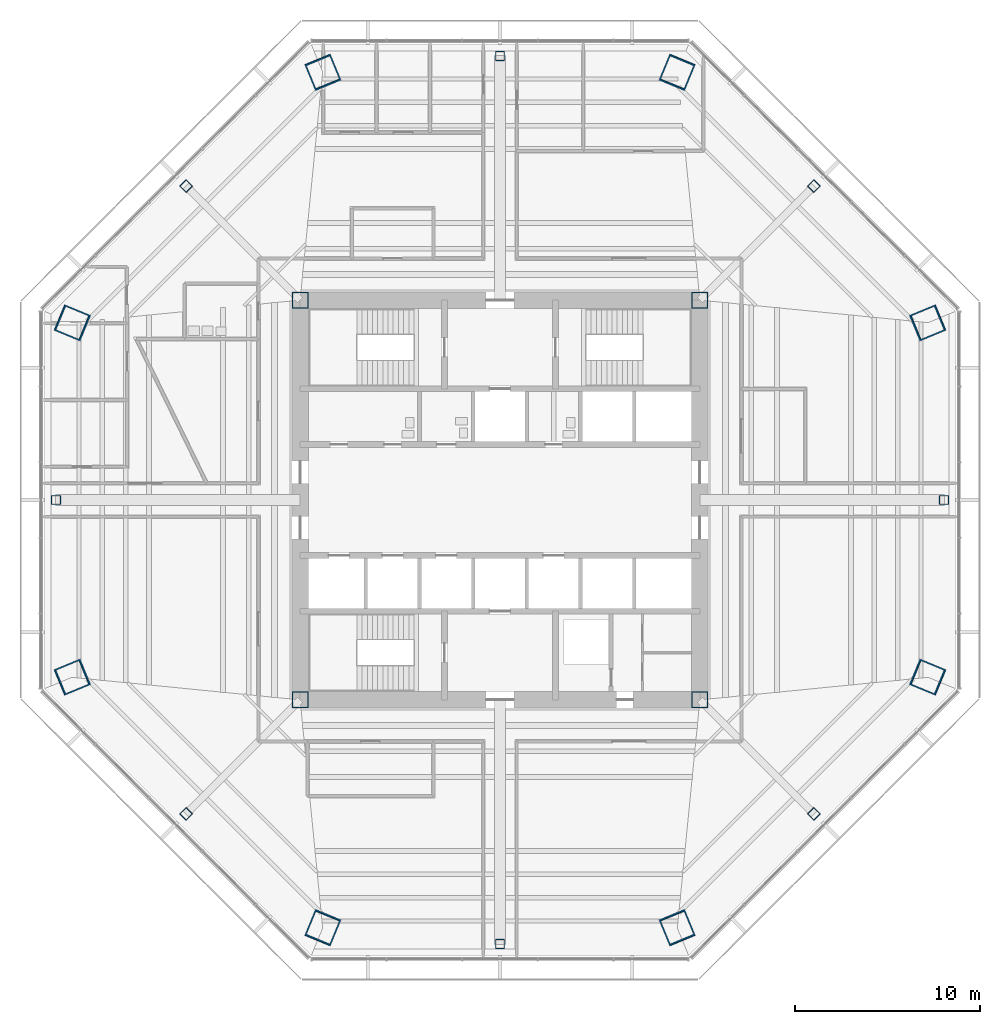
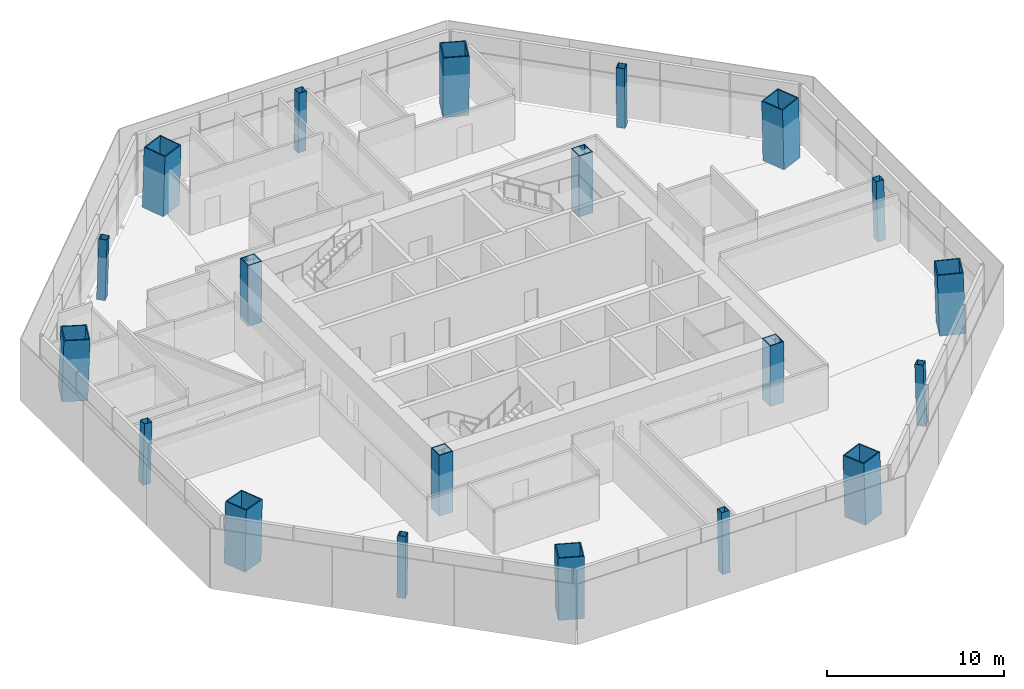
# One storey, part 1 of 14: 20 columns.
"""IFC4 building model written with IfcOpenShell, lengths in metres."""

import ifcopenshell
import ifcopenshell.guid

model = None  # the IFC model being written
_history = None  # IfcOwnerHistory: only IFC2X3 demands one
_inside = {}  # id of a spatial element -> (the spatial element, [elements in it])
_under = {}  # id of a project, library or spatial element -> (it, [spatial elements below it])
_declared = {}  # id of a project -> (the project, [libraries it declares])
_typed = {}  # id of a type object -> (the type object, [elements of that type])
_made_of = {}  # id of a material, layer set ... -> (it, [elements and type objects made of it])


def new_model(schema):
    """Start an empty IFC model of exactly this schema.

    Asked for "IFC4X3", IfcOpenShell would pick the latest addendum, in which some entities
    have other attributes; the version numbers below select the first issue.
    IFC2X3 requires an IfcOwnerHistory on every rooted entity: one is made here for all.
    """
    global model, _history
    if schema == "IFC4X3":
        model = ifcopenshell.file(schema_version=(4, 3, 0, 0))
    else:
        model = ifcopenshell.file(schema=schema)
    _inside.clear()
    _under.clear()
    _declared.clear()
    _typed.clear()
    _made_of.clear()
    _history = None
    if model.schema == "IFC2X3":
        org = make("IfcOrganization", Name="unknown")
        user = make(
            "IfcPersonAndOrganization",
            ThePerson=make("IfcPerson", FamilyName="unknown"),
            TheOrganization=org,
        )
        app = make(
            "IfcApplication",
            ApplicationDeveloper=org,
            Version="unknown",
            ApplicationFullName="unknown",
            ApplicationIdentifier="unknown",
        )
        _history = make(
            "IfcOwnerHistory",
            OwningUser=user,
            OwningApplication=app,
            ChangeAction="ADDED",
            CreationDate=0,
        )
    return model


def make(cls, **values):
    """One entity of the class cls with the attributes given. An attribute that is None is left unset."""
    return model.create_entity(
        cls, **{name: value for name, value in values.items() if value is not None}
    )


def rooted(cls, **values):
    """An entity with a GlobalId (a new one), such as an element, a storey or a relation."""
    return make(cls, GlobalId=ifcopenshell.guid.new(), OwnerHistory=_history, **values)


def si_unit(unit_type, name, prefix=None):
    """IfcSIUnit, for example si_unit("LENGTHUNIT", "METRE", prefix="MILLI")."""
    return make("IfcSIUnit", UnitType=unit_type, Prefix=prefix, Name=name)


def assignment(units):
    """IfcUnitAssignment: the units of a project."""
    return None if units is None else make("IfcUnitAssignment", Units=units)


def point(xyz):
    """IfcCartesianPoint."""
    return None if xyz is None else make("IfcCartesianPoint", Coordinates=xyz)


def direction(xyz):
    """IfcDirection."""
    return None if xyz is None else make("IfcDirection", DirectionRatios=xyz)


def frame(location, z_axis=None, x_axis=None):
    """IfcAxis2Placement3D, a coordinate frame: its origin and axes. An axis left out is left unset."""
    return make(
        "IfcAxis2Placement3D",
        Location=point(location),
        Axis=direction(z_axis),
        RefDirection=direction(x_axis),
    )


def frame_2d(location, x_axis=None):
    """IfcAxis2Placement2D, a coordinate frame in the plane: its origin and x axis."""
    return make(
        "IfcAxis2Placement2D", Location=point(location), RefDirection=direction(x_axis)
    )


def origin():
    """The frame at (0, 0, 0) with its axes left unset."""
    return frame((0.0, 0.0, 0.0))


def origin_2d():
    """The frame at (0, 0) in the plane with its x axis left unset."""
    return frame_2d((0.0, 0.0))


def place(relative_to, where):
    """IfcLocalPlacement: puts the frame where relative to a parent placement (None: the world)."""
    return make(
        "IfcLocalPlacement", PlacementRelTo=relative_to, RelativePlacement=where
    )


def context(
    kind, dimensions, precision=None, world=None, true_north=None, identifier=None
):
    """IfcGeometricRepresentationContext, for example the 3D "Model" context."""
    return make(
        "IfcGeometricRepresentationContext",
        ContextIdentifier=identifier,
        ContextType=kind,
        CoordinateSpaceDimension=dimensions,
        Precision=precision,
        WorldCoordinateSystem=world,
        TrueNorth=true_north,
    )


def subcontext(parent, identifier, kind, view, scale=None):
    """IfcGeometricRepresentationSubContext, for example "Body" below "Model"."""
    return make(
        "IfcGeometricRepresentationSubContext",
        ContextIdentifier=identifier,
        ContextType=kind,
        ParentContext=parent,
        TargetScale=scale,
        TargetView=view,
    )


def project(units=None, contexts=None):
    """IfcProject with its units and contexts."""
    return rooted(
        "IfcProject",
        Name="project",
        RepresentationContexts=contexts,
        UnitsInContext=assignment(units),
    )


def spatial(cls, under=None, at=None, **own):
    """A site, building, storey or space (cls), placed at a placement, below another one or the project."""
    s = rooted(cls, ObjectPlacement=at, **own)
    if under is not None:
        _under.setdefault(under.id(), (under, []))[1].append(s)
    return s


def profile(cls, at=None, kind="AREA", **sizes):
    """A parametric profile (cls). Its sizes go by their IFC names, for example OverallWidth=200.0."""
    return make(cls, ProfileType=kind, Position=at, **sizes)


def hollow_rectangle(**sizes):
    """IfcRectangleHollowProfileDef."""
    return profile("IfcRectangleHollowProfileDef", **sizes)


def extrude(swept, where, along, depth):
    """IfcExtrudedAreaSolid: the profile swept, set in the frame where, extruded along a direction by depth."""
    return make(
        "IfcExtrudedAreaSolid",
        SweptArea=swept,
        Position=where,
        ExtrudedDirection=direction(along),
        Depth=depth,
    )


def shape(context_of_items, identifier, shape_type, items):
    """IfcShapeRepresentation: the items that make up one representation, for example the "Body"."""
    return make(
        "IfcShapeRepresentation",
        ContextOfItems=context_of_items,
        RepresentationIdentifier=identifier,
        RepresentationType=shape_type,
        Items=items,
    )


def material(Name=None, Category=None):
    """IfcMaterial."""
    return make("IfcMaterial", Name=Name, Category=Category)


def material_profile(
    of_material, cross_section, Name=None, Category=None, Priority=None
):
    """IfcMaterialProfile: a cross section and its material."""
    return make(
        "IfcMaterialProfile",
        Name=Name,
        Material=of_material,
        Profile=cross_section,
        Priority=Priority,
        Category=Category,
    )


def profile_set(profiles, Name=None, composite=None):
    """IfcMaterialProfileSet."""
    return make(
        "IfcMaterialProfileSet",
        Name=Name,
        MaterialProfiles=profiles,
        CompositeProfile=composite,
    )


def made_of(thing, what):
    """Note that an element or type object is made of a material, layer set ...; save() writes the relation."""
    if what is not None:
        _made_of.setdefault(what.id(), (what, []))[1].append(thing)
    return thing


def type_object(cls, material=None, **own):
    """A type object (cls), such as IfcWallType, which elements share."""
    return made_of(rooted(cls, **own), material)


def element(
    cls,
    number,
    at=None,
    inside=None,
    cuts=None,
    type_object=None,
    material=None,
    context=None,
    identifier="Body",
    shape_type=None,
    held_by="IfcProductDefinitionShape",
    body=None,
    shapes=None,
    **own,
):
    """One element of the class cls, such as IfcWall. Its Tag is "e" and its number.

    at: its placement. inside: the storey or other place that contains it. cuts: it is an
    opening in that element (IfcRelVoidsElement). A single representation is given by context,
    identifier, shape_type and body (its items); several are given by shapes. held_by: the class
    of the entity that holds the representations. save() writes the other relations.
    """
    e = rooted(cls, Tag="e%d" % number, ObjectPlacement=at, **own)
    if body is not None:
        shapes = [shape(context, identifier, shape_type, body)]
    if shapes is not None:
        e.Representation = make(held_by, Representations=shapes)
    if inside is not None:
        _inside.setdefault(inside.id(), (inside, []))[1].append(e)
    if cuts is not None:
        rooted(
            "IfcRelVoidsElement", RelatingBuildingElement=cuts, RelatedOpeningElement=e
        )
    if type_object is not None:
        _typed.setdefault(type_object.id(), (type_object, []))[1].append(e)
    return made_of(e, material)


def aggregate(whole, parts):
    """IfcRelAggregates: a whole, such as a stair, and the parts it consists of."""
    return rooted("IfcRelAggregates", RelatingObject=whole, RelatedObjects=parts)


def save(model, path):
    """Write the relations noted so far, then the file.

    IfcRelAggregates (storeys below a building ...), IfcRelContainedInSpatialStructure (elements
    in a storey), IfcRelDefinesByType, IfcRelAssociatesMaterial and IfcRelDeclares: one each for
    every whole, place, type object, material and project.
    """
    for whole, parts in _under.values():
        aggregate(whole, parts)
    for where, things in _inside.values():
        rooted(
            "IfcRelContainedInSpatialStructure",
            RelatedElements=things,
            RelatingStructure=where,
        )
    for kind, things in _typed.values():
        rooted("IfcRelDefinesByType", RelatedObjects=things, RelatingType=kind)
    for what, things in _made_of.values():
        rooted("IfcRelAssociatesMaterial", RelatedObjects=things, RelatingMaterial=what)
    for by, libraries in _declared.values():
        rooted("IfcRelDeclares", RelatingContext=by, RelatedDefinitions=libraries)
    model.write(path)


model = new_model("IFC4")

# Units and contexts
model_context = context("Model", 3, precision=1e-05, world=origin(), true_north=direction((0.0, 1.0)))
body_context = subcontext(model_context, "Body", "Model", "MODEL_VIEW")
ifc_project = project(units=[si_unit("LENGTHUNIT", "METRE"), si_unit("AREAUNIT", "SQUARE_METRE"), si_unit("VOLUMEUNIT", "CUBIC_METRE"), si_unit("PLANEANGLEUNIT", "RADIAN"), si_unit("MASSUNIT", "GRAM", prefix="KILO")], contexts=[model_context])

# Site, building, storey
site_placement = place(None, origin())
site = spatial("IfcSite", under=ifc_project, at=site_placement, CompositionType="ELEMENT")
building_placement = place(site_placement, origin())
building = spatial("IfcBuilding", under=site, at=building_placement, Name="Mashrafa Tower", CompositionType="ELEMENT")
storey_placement = place(building_placement, frame((0.0, 0.0, 113.39990234375)))
storey = spatial("IfcBuildingStorey", under=building, at=storey_placement, Name="L25", CompositionType="ELEMENT", Elevation=113.39990234375)

# Columns
ifc_material_1 = material(Name="Steel ASTM A572 Gr 50", Category="steel")
ifc_material_profile_1 = material_profile(ifc_material_1, hollow_rectangle(XDim=0.89990234375, YDim=0.89990234375, WallThickness=0.06005859375, at=origin_2d()), Name="BOX900X900X60")
ifc_profile_set_1 = profile_set([ifc_material_profile_1], Name="Steel ASTM A572 Gr 50")
column_type_1 = type_object("IfcColumnType", Name="Core corner column BOX900X900X60", PredefinedType="COLUMN", material=ifc_profile_set_1)
for number, where, z_axis, x_axis, name in (
    (1, (10.800048828125, 10.800048828125, 0.0), (0.0, 0.0, 1.0), (1.0, 0.0, 0.0), "Core corner column CC-NE L25"),
    (2, (-10.800048828125, 10.800048828125, 0.0), (0.0, 0.0, 1.0), (1.0, 0.0, 0.0), "Core corner column CC-NW L25"),
    (3, (-10.800048828125, -10.800048828125, 0.0), (0.0, 0.0, 1.0), (1.0, 0.0, 0.0), "Core corner column CC-SW L25"),
    (4, (10.800048828125, -10.800048828125, 0.0), (0.0, 0.0, 1.0), (1.0, 0.0, 0.0), "Core corner column CC-SE L25"),
):
    element("IfcColumn", number, at=place(storey_placement, frame(where, z_axis=z_axis, x_axis=x_axis)), inside=storey, type_object=column_type_1, Name=name, PredefinedType="COLUMN", context=body_context, shape_type="SweptSolid", body=[
        extrude(hollow_rectangle(XDim=0.89990234375, YDim=0.89990234375, WallThickness=0.06005859375, at=origin_2d()), origin(), (0.0, 0.0, 1.0), 4.2001953125),
    ])
ifc_material_2 = material(Name="Steel ASTM A572 Gr 50", Category="steel")
ifc_material_profile_2 = material_profile(ifc_material_2, hollow_rectangle(XDim=1.5, YDim=1.5, WallThickness=0.070068359375, at=origin_2d()), Name="BOX1500X1500X70")
ifc_profile_set_2 = profile_set([ifc_material_profile_2], Name="Steel ASTM A572 Gr 50")
column_type_2 = type_object("IfcColumnType", Name="Mega column CFST BOX1500X1500X70", PredefinedType="COLUMN", material=ifc_profile_set_2)
for number, where, z_axis, x_axis, name in (
    (5, (23.128662109375, 9.580078125, 0.0), (-0.028294106277, -0.011677854952, 0.999531425846), (0.38151339852, -0.924363308851, 0.0), "Mega column MC1 L25"),
    (6, (9.580078125, 23.128662109375, 0.0), (-0.011677854952, -0.028294106277, 0.999531425846), (0.924363308851, -0.38151339852, 0.0), "Mega column MC2 L25"),
    (7, (-9.580078125, 23.128662109375, 0.0), (0.011677854952, -0.028294106277, 0.999531425846), (0.924363308851, 0.38151339852, 0.0), "Mega column MC3 L25"),
    (8, (-23.128662109375, 9.580078125, 0.0), (0.028294106277, -0.011677854952, 0.999531425846), (0.38151339852, 0.924363308851, 0.0), "Mega column MC4 L25"),
    (9, (-23.128662109375, -9.580078125, 0.0), (0.028294106277, 0.011677854952, 0.999531425846), (-0.38151339852, 0.924363308851, 0.0), "Mega column MC5 L25"),
    (10, (-9.580078125, -23.128662109375, 0.0), (0.011677854952, 0.028294106277, 0.999531425846), (-0.924363308851, 0.38151339852, 0.0), "Mega column MC6 L25"),
    (11, (9.580078125, -23.128662109375, 0.0), (-0.011677854952, 0.028294106277, 0.999531425846), (-0.924363308851, -0.38151339852, 0.0), "Mega column MC7 L25"),
    (12, (23.128662109375, -9.580078125, 0.0), (-0.028294106277, 0.011677854952, 0.999531425846), (-0.38151339852, -0.924363308851, 0.0), "Mega column MC8 L25"),
):
    element("IfcColumn", number, at=place(storey_placement, frame(where, z_axis=z_axis, x_axis=x_axis)), inside=storey, type_object=column_type_2, Name=name, PredefinedType="COLUMN", context=body_context, shape_type="SweptSolid", body=[
        extrude(hollow_rectangle(XDim=1.5, YDim=1.5, WallThickness=0.070068359375, at=origin_2d()), origin(), (0.0, 0.0, 1.0), 4.2021484375),
    ])
ifc_material_3 = material(Name="Steel ASTM A572 Gr 50", Category="steel")
ifc_material_profile_3 = material_profile(ifc_material_3, hollow_rectangle(XDim=0.5, YDim=0.5, WallThickness=0.02490234375, at=origin_2d()), Name="BOX500X500X25")
ifc_profile_set_3 = profile_set([ifc_material_profile_3], Name="Steel ASTM A572 Gr 50")
column_type_3 = type_object("IfcColumnType", Name="Secondary column BOX500X500X25", PredefinedType="COLUMN", material=ifc_profile_set_3)
for number, where, z_axis, x_axis, name in (
    (13, (24.0068359375, 0.0, 0.0), (-0.02829603574, 0.0, 0.999599587015), (0.0, -1.0, 0.0), "Secondary column SC1 L25"),
    (14, (16.975341796875, 16.975341796875, 0.0), (-0.019987360289, -0.019987360289, 0.999600425599), (0.707106781187, -0.707106781187, 0.0), "Secondary column SC2 L25"),
    (15, (0.0, 24.0068359375, 0.0), (0.0, -0.02829603574, 0.999599587015), (1.0, 0.0, 0.0), "Secondary column SC3 L25"),
    (16, (-16.975341796875, 16.975341796875, 0.0), (0.019987360289, -0.019987360289, 0.999600425599), (0.707106781187, 0.707106781187, 0.0), "Secondary column SC4 L25"),
    (17, (-24.0068359375, 0.0, 0.0), (0.02829603574, 0.0, 0.999599587015), (0.0, 1.0, 0.0), "Secondary column SC5 L25"),
    (18, (-16.975341796875, -16.975341796875, 0.0), (0.019987360289, 0.019987360289, 0.999600425599), (-0.707106781187, 0.707106781187, 0.0), "Secondary column SC6 L25"),
    (19, (0.0, -24.0068359375, 0.0), (0.0, 0.02829603574, 0.999599587015), (-1.0, 0.0, 0.0), "Secondary column SC7 L25"),
    (20, (16.975341796875, -16.975341796875, 0.0), (-0.019987360289, 0.019987360289, 0.999600425599), (-0.707106781187, -0.707106781187, 0.0), "Secondary column SC8 L25"),
):
    element("IfcColumn", number, at=place(storey_placement, frame(where, z_axis=z_axis, x_axis=x_axis)), inside=storey, type_object=column_type_3, Name=name, PredefinedType="COLUMN", context=body_context, shape_type="SweptSolid", body=[
        extrude(hollow_rectangle(XDim=0.5, YDim=0.5, WallThickness=0.02490234375, at=origin_2d()), origin(), (0.0, 0.0, 1.0), 4.201904296875),
    ])

save(model, "model.ifc")
